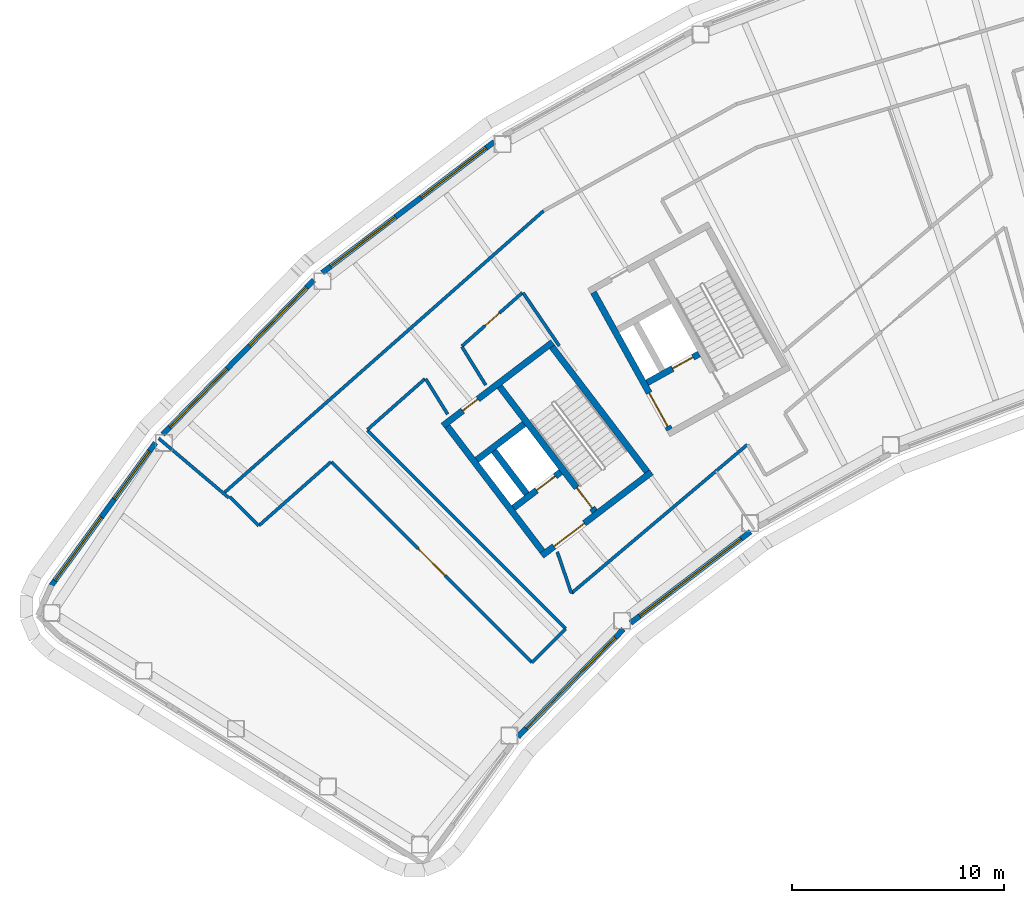
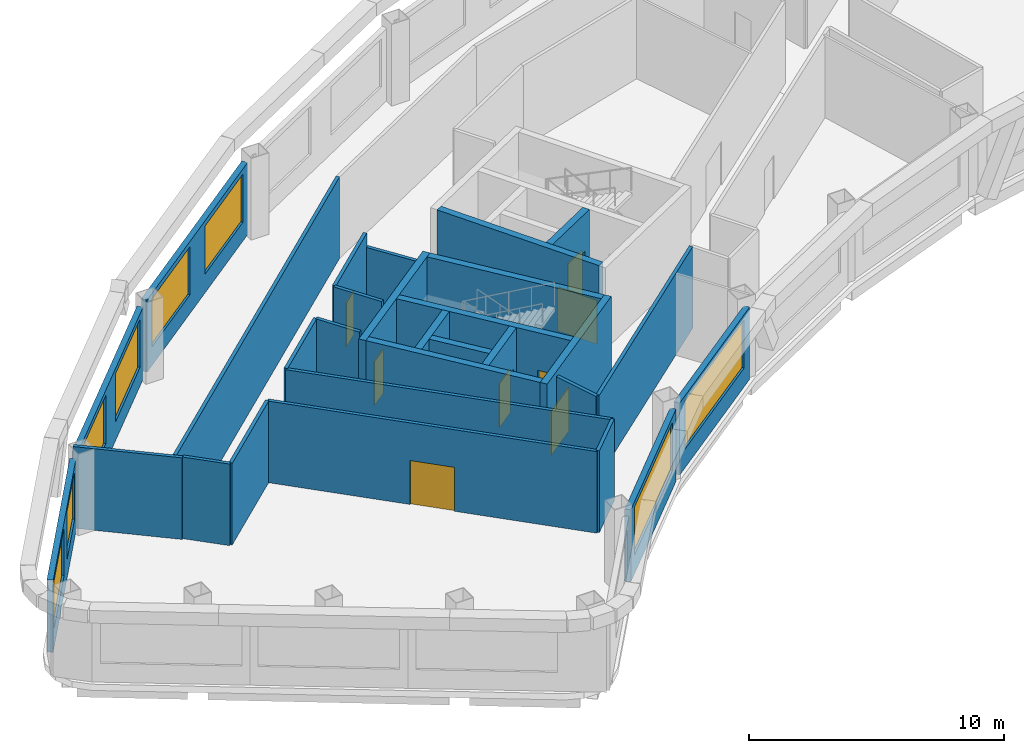
# One storey, part 5 of 13: 29 walls, 8 doors, 8 windows, 16 openings.
"""IFC4 building model written with IfcOpenShell, lengths in metres."""

from ifc_helpers import new_model, si_unit, direction, frame, frame_2d, origin, place, context, subcontext, project, spatial, rectangle, extrude, material, layer, layer_set, type_object, element, fill, save


model = new_model("IFC4")

# Units and contexts
model_context = context("Model", 3, precision=1e-05, world=origin(), true_north=direction((0.0, 1.0)))
body_context = subcontext(model_context, "Body", "Model", "MODEL_VIEW")
ifc_project = project(units=[si_unit("LENGTHUNIT", "METRE"), si_unit("AREAUNIT", "SQUARE_METRE"), si_unit("VOLUMEUNIT", "CUBIC_METRE"), si_unit("PLANEANGLEUNIT", "RADIAN"), si_unit("MASSUNIT", "GRAM", prefix="KILO")], contexts=[model_context])

# Site, building, storey
site_placement = place(None, origin())
site = spatial("IfcSite", under=ifc_project, at=site_placement, CompositionType="ELEMENT")
building_placement = place(site_placement, origin())
building = spatial("IfcBuilding", under=site, at=building_placement, Name="Tuul Gate Civic Tower", CompositionType="ELEMENT")
storey_placement = place(building_placement, frame((0.0, 0.0, 340.699951171875)))
storey = spatial("IfcBuildingStorey", under=building, at=storey_placement, Name="Level 77", CompositionType="ELEMENT", Elevation=340.699951171875)

# Wall, opening, door
ifc_material_1 = material(Name="Concrete C50/60", Category="concrete")
ifc_layer_1 = layer(ifc_material_1, 0.300048828125)
ifc_layer_set_1 = layer_set([ifc_layer_1], Name="Concrete C50/60")
wall_type_1 = type_object("IfcWallType", Name="Core wall C50/60", PredefinedType="SHEAR", material=ifc_layer_set_1)
wall_1_placement = place(storey_placement, frame((-31.19091796875, -13.669677734375, 0.0), z_axis=(0.0, 0.0, 1.0), x_axis=(-0.795606717756, -0.605813461934, 0.0)))
wall_1 = element("IfcWall", 1, at=wall_1_placement, inside=storey, type_object=wall_type_1, Name="Core wall", PredefinedType="SHEAR", context=body_context, shape_type="SweptSolid", body=[
    extrude(rectangle(XDim=6.5, YDim=0.300048828125, at=frame_2d((3.25, 0.0))), origin(), (0.0, 0.0, 1.0), 3.900146484375),
])
opening_1_placement = place(wall_1_placement, frame((3.97509765625, 0.0, 0.0)))
opening_1 = element("IfcOpeningElement", 2, at=opening_1_placement, cuts=wall_1, Name="Opening LB-W1-LOBBY-1", PredefinedType="OPENING", context=body_context, shape_type="SweptSolid", body=[
    extrude(rectangle(XDim=1.800048828125, YDim=2.10009765625, at=frame_2d((0.89990234375, 1.050048828125))), frame((0.0, 0.16015625, 0.0), z_axis=(0.0, -1.0, 0.0), x_axis=(1.0, 0.0, 0.0)), (0.0, 0.0, 1.0), 0.320068359375),
])
ifc_material_2 = material(Name="Steel", Category="steel")
door_type_1 = type_object("IfcDoorType", Name="Lobby door", OperationType="DOUBLE_DOOR_SINGLE_SWING", PredefinedType="DOOR", material=ifc_material_2)
door_1_placement = place(opening_1_placement, origin())
door_1 = element("IfcDoor", 3, at=door_1_placement, inside=storey, type_object=door_type_1, Name="Lobby door W1-LOBBY", OperationType="DOUBLE_DOOR_SINGLE_SWING", OverallHeight=2.10009765625, OverallWidth=1.800048828125, PredefinedType="DOOR", context=body_context, shape_type="SweptSolid", body=[
    extrude(rectangle(XDim=1.800048828125, YDim=2.10009765625, at=frame_2d((0.89990234375, 1.050048828125))), frame((0.0, 0.02490234375, 0.0), z_axis=(0.0, -1.0, 0.0), x_axis=(1.0, 0.0, 0.0)), (0.0, 0.0, 1.0), 0.050048828125),
])
fill(opening_1, door_1)

wall_2_placement = place(storey_placement, frame((-35.470947265625, -13.66064453125, 0.0), z_axis=(0.0, 0.0, 1.0), x_axis=(-0.795615822227, -0.605801504968, 0.0)))
wall_2 = element("IfcWall", 4, at=wall_2_placement, inside=storey, type_object=wall_type_1, Name="Core wall", PredefinedType="SHEAR", context=body_context, shape_type="SweptSolid", body=[
    extrude(rectangle(XDim=2.800048828125, YDim=0.300048828125, at=frame_2d((1.39990234375, 0.0))), origin(), (0.0, 0.0, 1.0), 3.900146484375),
])
opening_2_placement = place(wall_2_placement, frame((0.324951171875, 0.0, 0.0)))
opening_2 = element("IfcOpeningElement", 5, at=opening_2_placement, cuts=wall_2, Name="Opening LD-H1", PredefinedType="OPENING", context=body_context, shape_type="SweptSolid", body=[
    extrude(rectangle(XDim=1.10009765625, YDim=2.10009765625, at=frame_2d((0.550048828125, 1.050048828125))), frame((0.0, 0.16015625, 0.0), z_axis=(0.0, -1.0, 0.0), x_axis=(1.0, 0.0, 0.0)), (0.0, 0.0, 1.0), 0.320068359375),
])
ifc_material_3 = material(Name="Stainless steel", Category="steel")
door_type_2 = type_object("IfcDoorType", Name="Landing door", OperationType="DOUBLE_DOOR_SLIDING", PredefinedType="DOOR", material=ifc_material_3)
door_2_placement = place(opening_2_placement, origin())
door_2 = element("IfcDoor", 6, at=door_2_placement, inside=storey, type_object=door_type_2, Name="High-rise lift H1 landing door", OperationType="DOUBLE_DOOR_SLIDING", OverallHeight=2.10009765625, OverallWidth=1.10009765625, PredefinedType="DOOR", context=body_context, shape_type="SweptSolid", body=[
    extrude(rectangle(XDim=1.10009765625, YDim=2.10009765625, at=frame_2d((0.550048828125, 1.050048828125))), frame((0.0, 0.02490234375, 0.0), z_axis=(0.0, -1.0, 0.0), x_axis=(1.0, 0.0, 0.0)), (0.0, 0.0, 1.0), 0.050048828125),
])
fill(opening_2, door_2)

# Wall
wall_3_placement = place(storey_placement, frame((-37.197509765625, -11.39306640625, 0.0), z_axis=(0.0, 0.0, 1.0), x_axis=(-0.795583820278, -0.605843531707, 0.0)))
element("IfcWall", 7, at=wall_3_placement, inside=storey, type_object=wall_type_1, Name="Core wall", PredefinedType="SHEAR", context=body_context, shape_type="SweptSolid", body=[
    extrude(rectangle(XDim=2.7998046875, YDim=0.300048828125, at=frame_2d((1.39990234375, 0.0))), origin(), (0.0, 0.0, 1.0), 3.900146484375),
])

# Wall, opening, door
wall_4_placement = place(storey_placement, frame((-35.855224609375, -7.543212890625, 0.0), z_axis=(0.0, 0.0, 1.0), x_axis=(-0.79563860527, -0.605771582202, 0.0)))
wall_4 = element("IfcWall", 8, at=wall_4_placement, inside=storey, type_object=wall_type_1, Name="Core wall", PredefinedType="SHEAR", context=body_context, shape_type="SweptSolid", body=[
    extrude(rectangle(XDim=6.5, YDim=0.300048828125, at=frame_2d((3.25, 0.0))), origin(), (0.0, 0.0, 1.0), 3.900146484375),
])
opening_3_placement = place(wall_4_placement, frame((4.425048828125, 0.0, 0.0)))
opening_3 = element("IfcOpeningElement", 9, at=opening_3_placement, cuts=wall_4, Name="Opening AC-D18", PredefinedType="OPENING", context=body_context, shape_type="SweptSolid", body=[
    extrude(rectangle(XDim=0.89990234375, YDim=2.10009765625, at=frame_2d((0.449951171875, 1.050048828125))), frame((0.0, 0.16015625, 0.0), z_axis=(0.0, -1.0, 0.0), x_axis=(1.0, 0.0, 0.0)), (0.0, 0.0, 1.0), 0.320068359375),
])
ifc_material_4 = material(Name="Timber door leaf", Category="wood")
door_type_3 = type_object("IfcDoorType", Name="Door D09", OperationType="NOTDEFINED", PredefinedType="DOOR", material=ifc_material_4)
door_3_placement = place(opening_3_placement, origin())
door_3 = element("IfcDoor", 10, at=door_3_placement, inside=storey, type_object=door_type_3, Name="Door AC-D18", OperationType="SINGLE_SWING_LEFT", OverallHeight=2.10009765625, OverallWidth=0.89990234375, PredefinedType="DOOR", context=body_context, shape_type="SweptSolid", body=[
    extrude(rectangle(XDim=0.89990234375, YDim=2.10009765625, at=frame_2d((0.449951171875, 1.050048828125))), frame((0.0, 0.02490234375, 0.0), z_axis=(0.0, -1.0, 0.0), x_axis=(1.0, 0.0, 0.0)), (0.0, 0.0, 1.0), 0.050048828125),
])
fill(opening_3, door_3)

# Wall
wall_5_placement = place(storey_placement, frame((-31.401123046875, -13.64111328125, 0.0), z_axis=(0.0, 0.0, 1.0), x_axis=(-0.605769822278, 0.795639945213, 0.0)))
element("IfcWall", 11, at=wall_5_placement, inside=storey, type_object=wall_type_1, Name="Core wall", PredefinedType="SHEAR", context=body_context, shape_type="SweptSolid", body=[
    extrude(rectangle(XDim=7.39990234375, YDim=0.300048828125, at=frame_2d((3.699951171875, 0.0))), origin(), (0.0, 0.0, 1.0), 3.900146484375),
])

# Wall, opening, door
wall_6_placement = place(storey_placement, frame((-33.867431640625, -15.51904296875, 0.0), z_axis=(0.0, 0.0, 1.0), x_axis=(-0.605769822278, 0.795639945213, 0.0)))
wall_6 = element("IfcWall", 12, at=wall_6_placement, inside=storey, type_object=wall_type_1, Name="Core wall", PredefinedType="SHEAR", context=body_context, shape_type="SweptSolid", body=[
    extrude(rectangle(XDim=7.39990234375, YDim=0.300048828125, at=frame_2d((3.699951171875, 0.0))), origin(), (0.0, 0.0, 1.0), 3.900146484375),
])
opening_4_placement = place(wall_6_placement, frame((0.199951171875, 0.0, 0.0)))
opening_4 = element("IfcOpeningElement", 13, at=opening_4_placement, cuts=wall_6, Name="Opening SD-ST-1", PredefinedType="OPENING", context=body_context, shape_type="SweptSolid", body=[
    extrude(rectangle(XDim=1.199951171875, YDim=2.10009765625, at=frame_2d((0.60009765625, 1.050048828125))), frame((0.0, 0.16015625, 0.0), z_axis=(0.0, -1.0, 0.0), x_axis=(1.0, 0.0, 0.0)), (0.0, 0.0, 1.0), 0.320068359375),
])
ifc_material_5 = material(Name="Steel", Category="steel")
door_type_4 = type_object("IfcDoorType", Name="Stair door", OperationType="NOTDEFINED", PredefinedType="DOOR", material=ifc_material_5)
door_4_placement = place(opening_4_placement, origin())
door_4 = element("IfcDoor", 14, at=door_4_placement, inside=storey, type_object=door_type_4, Name="Stair door ST-1", OperationType="SINGLE_SWING_LEFT", OverallHeight=2.10009765625, OverallWidth=1.199951171875, PredefinedType="DOOR", context=body_context, shape_type="SweptSolid", body=[
    extrude(rectangle(XDim=1.199951171875, YDim=2.10009765625, at=frame_2d((0.60009765625, 1.050048828125))), frame((0.0, 0.02490234375, 0.0), z_axis=(0.0, -1.0, 0.0), x_axis=(1.0, 0.0, 0.0)), (0.0, 0.0, 1.0), 0.050048828125),
])
fill(opening_4, door_4)

# Walls
wall_7_placement = place(storey_placement, frame((-37.073486328125, -14.6923828125, 0.0), z_axis=(0.0, 0.0, 1.0), x_axis=(-0.605728760074, 0.79567120673, 0.0)))
element("IfcWall", 15, at=wall_7_placement, inside=storey, type_object=wall_type_1, Name="Core wall", PredefinedType="SHEAR", context=body_context, shape_type="SweptSolid", body=[
    extrude(rectangle(XDim=2.550048828125, YDim=0.300048828125, at=frame_2d((1.27490234375, 0.0))), origin(), (0.0, 0.0, 1.0), 3.900146484375),
])
wall_8_placement = place(storey_placement, frame((-36.333984375, -17.397216796875, 0.0), z_axis=(0.0, 0.0, 1.0), x_axis=(-0.605753921168, 0.795652051458, 0.0)))
element("IfcWall", 16, at=wall_8_placement, inside=storey, type_object=wall_type_1, Name="Core wall", PredefinedType="SHEAR", context=body_context, shape_type="SweptSolid", body=[
    extrude(rectangle(XDim=7.400146484375, YDim=0.300048828125, at=frame_2d((3.7001953125, 0.0))), origin(), (0.0, 0.0, 1.0), 3.900146484375),
])

# Wall, opening, door
wall_9_placement = place(storey_placement, frame((-28.94580078125, -8.090087890625, 0.0), z_axis=(0.0, 0.0, 1.0), x_axis=(-0.874629840737, -0.484791338301, 0.0)))
wall_9 = element("IfcWall", 17, at=wall_9_placement, inside=storey, type_object=wall_type_1, Name="Core wall", PredefinedType="SHEAR", context=body_context, shape_type="SweptSolid", body=[
    extrude(rectangle(XDim=2.800048828125, YDim=0.300048828125, at=frame_2d((1.39990234375, 0.0))), origin(), (0.0, 0.0, 1.0), 3.900146484375),
])
opening_5_placement = place(wall_9_placement, frame((0.324951171875, 0.0, 0.0)))
opening_5 = element("IfcOpeningElement", 18, at=opening_5_placement, cuts=wall_9, Name="Opening LD-FF-1", PredefinedType="OPENING", context=body_context, shape_type="SweptSolid", body=[
    extrude(rectangle(XDim=1.10009765625, YDim=2.10009765625, at=frame_2d((0.550048828125, 1.050048828125))), frame((0.0, 0.16015625, 0.0), z_axis=(0.0, -1.0, 0.0), x_axis=(1.0, 0.0, 0.0)), (0.0, 0.0, 1.0), 0.320068359375),
])
door_5_placement = place(opening_5_placement, origin())
door_5 = element("IfcDoor", 19, at=door_5_placement, inside=storey, type_object=door_type_2, Name="Fire-fighting lift FF-1 landing door", OperationType="DOUBLE_DOOR_SLIDING", OverallHeight=2.10009765625, OverallWidth=1.10009765625, PredefinedType="DOOR", context=body_context, shape_type="SweptSolid", body=[
    extrude(rectangle(XDim=1.10009765625, YDim=2.10009765625, at=frame_2d((0.550048828125, 1.050048828125))), frame((0.0, 0.02490234375, 0.0), z_axis=(0.0, -1.0, 0.0), x_axis=(1.0, 0.0, 0.0)), (0.0, 0.0, 1.0), 0.050048828125),
])
fill(opening_5, door_5)

wall_10_placement = place(storey_placement, frame((-30.33837890625, -11.6630859375, 0.0), z_axis=(0.0, 0.0, 1.0), x_axis=(-0.484751894226, 0.874651702704, 0.0)))
wall_10 = element("IfcWall", 20, at=wall_10_placement, inside=storey, type_object=wall_type_1, Name="Core wall", PredefinedType="SHEAR", context=body_context, shape_type="SweptSolid", body=[
    extrude(rectangle(XDim=7.39990234375, YDim=0.300048828125, at=frame_2d((3.699951171875, 0.0))), origin(), (0.0, 0.0, 1.0), 3.900146484375),
])
opening_6_placement = place(wall_10_placement, frame((0.175048828125, 0.0, 0.0)))
opening_6 = element("IfcOpeningElement", 21, at=opening_6_placement, cuts=wall_10, Name="Opening LB-W2-FLOBBY-1", PredefinedType="OPENING", context=body_context, shape_type="SweptSolid", body=[
    extrude(rectangle(XDim=1.800048828125, YDim=2.10009765625, at=frame_2d((0.89990234375, 1.050048828125))), frame((0.0, 0.16015625, 0.0), z_axis=(0.0, -1.0, 0.0), x_axis=(1.0, 0.0, 0.0)), (0.0, 0.0, 1.0), 0.320068359375),
])
door_6_placement = place(opening_6_placement, origin())
door_6 = element("IfcDoor", 22, at=door_6_placement, inside=storey, type_object=door_type_1, Name="Lobby door W2-FLOBBY", OperationType="DOUBLE_DOOR_SINGLE_SWING", OverallHeight=2.10009765625, OverallWidth=1.800048828125, PredefinedType="DOOR", context=body_context, shape_type="SweptSolid", body=[
    extrude(rectangle(XDim=1.800048828125, YDim=2.10009765625, at=frame_2d((0.89990234375, 1.050048828125))), frame((0.0, 0.02490234375, 0.0), z_axis=(0.0, -1.0, 0.0), x_axis=(1.0, 0.0, 0.0)), (0.0, 0.0, 1.0), 0.050048828125),
])
fill(opening_6, door_6)

# Walls
ifc_material_6 = material(Name="Gypsum board partition")
ifc_layer_2 = layer(ifc_material_6, 0.14990234375)
ifc_layer_set_2 = layer_set([ifc_layer_2], Name="Gypsum board partition")
wall_type_2 = type_object("IfcWallType", Name="Corridor wall P150", PredefinedType="PARTITIONING", material=ifc_layer_set_2)
wall_11_placement = place(storey_placement, frame((-51.30908203125, -14.609130859375, 0.0), z_axis=(0.0, 0.0, 1.0), x_axis=(0.749746527086, 0.661725128072, 0.0)))
element("IfcWall", 23, at=wall_11_placement, inside=storey, type_object=wall_type_2, Name="p022", PredefinedType="PARTITIONING", context=body_context, shape_type="SweptSolid", body=[
    extrude(rectangle(XDim=20.05078125, YDim=0.14990234375, at=frame_2d((10.025390625, 0.0))), origin(), (0.0, 0.0, 1.0), 3.900146484375),
])
wall_12_placement = place(storey_placement, frame((-51.072509765625, -14.843505859375, 0.0), z_axis=(0.0, 0.0, 1.0), x_axis=(0.711739651445, -0.702443356123, 0.0)))
element("IfcWall", 24, at=wall_12_placement, inside=storey, type_object=wall_type_2, Name="p023", PredefinedType="PARTITIONING", context=body_context, shape_type="SweptSolid", body=[
    extrude(rectangle(XDim=1.917236328125, YDim=0.14990234375, at=frame_2d((0.95849609375, 0.0))), origin(), (0.0, 0.0, 1.0), 3.900146484375),
])
wall_13_placement = place(storey_placement, frame((-54.4326171875, -12.07421875, 0.0), z_axis=(0.0, 0.0, 1.0), x_axis=(0.762882913922, -0.646536665353, 0.0)))
element("IfcWall", 25, at=wall_13_placement, inside=storey, type_object=wall_type_2, Name="p024", PredefinedType="PARTITIONING", context=body_context, shape_type="SweptSolid", body=[
    extrude(rectangle(XDim=4.34375, YDim=0.14990234375, at=frame_2d((2.171875, 0.0))), origin(), (0.0, 0.0, 1.0), 3.900146484375),
])
wall_14_placement = place(storey_placement, frame((-34.96484375, -19.378173828125, 0.0), z_axis=(0.0, 0.0, 1.0), x_axis=(0.763923474365, 0.64530684586, 0.0)))
element("IfcWall", 26, at=wall_14_placement, inside=storey, type_object=wall_type_2, Name="p049", PredefinedType="PARTITIONING", context=body_context, shape_type="SweptSolid", body=[
    extrude(rectangle(XDim=10.855224609375, YDim=0.14990234375, at=frame_2d((5.427734375, 0.0))), origin(), (0.0, 0.0, 1.0), 3.900146484375),
])
wall_15_placement = place(storey_placement, frame((-49.7080078125, -16.190185546875, 0.0), z_axis=(0.0, 0.0, 1.0), x_axis=(0.749312934638, 0.662216071977, 0.0)))
element("IfcWall", 27, at=wall_15_placement, inside=storey, type_object=wall_type_2, Name="p061", PredefinedType="PARTITIONING", context=body_context, shape_type="SweptSolid", body=[
    extrude(rectangle(XDim=4.535400390625, YDim=0.14990234375, at=frame_2d((2.267578125, 0.0))), origin(), (0.0, 0.0, 1.0), 3.900146484375),
])
wall_16_placement = place(storey_placement, frame((-44.59033203125, -11.66748046875, 0.0), z_axis=(0.0, 0.0, 1.0), x_axis=(0.749319777686, 0.662208328827, 0.0)))
element("IfcWall", 28, at=wall_16_placement, inside=storey, type_object=wall_type_2, Name="p062", PredefinedType="PARTITIONING", context=body_context, shape_type="SweptSolid", body=[
    extrude(rectangle(XDim=3.632080078125, YDim=0.14990234375, at=frame_2d((1.81591796875, 0.0))), origin(), (0.0, 0.0, 1.0), 3.900146484375),
])

# Wall, opening, door
wall_17_placement = place(storey_placement, frame((-40.128173828125, -7.72412109375, 0.0), z_axis=(0.0, 0.0, 1.0), x_axis=(0.749306145522, 0.662223753941, 0.0)))
wall_17 = element("IfcWall", 29, at=wall_17_placement, inside=storey, type_object=wall_type_2, Name="p063", PredefinedType="PARTITIONING", context=body_context, shape_type="SweptSolid", body=[
    extrude(rectangle(XDim=3.80712890625, YDim=0.14990234375, at=frame_2d((1.903564453125, 0.0))), origin(), (0.0, 0.0, 1.0), 3.900146484375),
])
opening_7_placement = place(wall_17_placement, frame((1.45361328125, 0.0, 0.0)))
opening_7 = element("IfcOpeningElement", 30, at=opening_7_placement, cuts=wall_17, Name="Opening AC-D12", PredefinedType="OPENING", context=body_context, shape_type="SweptSolid", body=[
    extrude(rectangle(XDim=0.89990234375, YDim=2.10009765625, at=frame_2d((0.449951171875, 1.050048828125))), frame((0.0, 0.0849609375, 0.0), z_axis=(0.0, -1.0, 0.0), x_axis=(1.0, 0.0, 0.0)), (0.0, 0.0, 1.0), 0.169921875),
])
door_7_placement = place(opening_7_placement, frame((0.89990234375, 0.0, 0.0), z_axis=(0.0, 0.0, 1.0), x_axis=(-1.0, 0.0, 0.0)))
door_7 = element("IfcDoor", 31, at=door_7_placement, inside=storey, type_object=door_type_3, Name="Door AC-D12", OperationType="SINGLE_SWING_LEFT", OverallHeight=2.10009765625, OverallWidth=0.89990234375, PredefinedType="DOOR", context=body_context, shape_type="SweptSolid", body=[
    extrude(rectangle(XDim=0.89990234375, YDim=2.10009765625, at=frame_2d((0.449951171875, 1.050048828125))), frame((0.0, 0.02490234375, 0.0), z_axis=(0.0, -1.0, 0.0), x_axis=(1.0, 0.0, 0.0)), (0.0, 0.0, 1.0), 0.050048828125),
])
fill(opening_7, door_7)

wall_18_placement = place(storey_placement, frame((-46.287109375, -13.18408203125, 0.0), z_axis=(0.0, 0.0, 1.0), x_axis=(0.707161536948, -0.707052021185, 0.0)))
wall_18 = element("IfcWall", 32, at=wall_18_placement, inside=storey, type_object=wall_type_2, Name="p064", PredefinedType="PARTITIONING", context=body_context, shape_type="SweptSolid", body=[
    extrude(rectangle(XDim=13.375732421875, YDim=0.14990234375, at=frame_2d((6.68798828125, 0.0))), origin(), (0.0, 0.0, 1.0), 3.900146484375),
])
opening_8_placement = place(wall_18_placement, frame((5.787841796875, 0.0, 0.0)))
opening_8 = element("IfcOpeningElement", 33, at=opening_8_placement, cuts=wall_18, Name="Opening AC-D10", PredefinedType="OPENING", context=body_context, shape_type="SweptSolid", body=[
    extrude(rectangle(XDim=1.800048828125, YDim=2.10009765625, at=frame_2d((0.89990234375, 1.050048828125))), frame((0.0, 0.0849609375, 0.0), z_axis=(0.0, -1.0, 0.0), x_axis=(1.0, 0.0, 0.0)), (0.0, 0.0, 1.0), 0.169921875),
])
ifc_material_7 = material(Name="Timber door leaf, double", Category="wood")
door_type_5 = type_object("IfcDoorType", Name="Door D18", OperationType="DOUBLE_DOOR_SINGLE_SWING", PredefinedType="DOOR", material=ifc_material_7)
door_8_placement = place(opening_8_placement, frame((1.800048828125, 0.0, 0.0), z_axis=(0.0, 0.0, 1.0), x_axis=(-1.0, 0.0, 0.0)))
door_8 = element("IfcDoor", 34, at=door_8_placement, inside=storey, type_object=door_type_5, Name="Door AC-D10", OperationType="DOUBLE_DOOR_SINGLE_SWING", OverallHeight=2.10009765625, OverallWidth=1.800048828125, PredefinedType="DOOR", context=body_context, shape_type="SweptSolid", body=[
    extrude(rectangle(XDim=1.800048828125, YDim=2.10009765625, at=frame_2d((0.900146484375, 1.050048828125))), frame((0.0, 0.02490234375, 0.0), z_axis=(0.0, -1.0, 0.0), x_axis=(1.0, 0.0, 0.0)), (0.0, 0.0, 1.0), 0.050048828125),
])
fill(opening_8, door_8)

# Walls
wall_19_placement = place(storey_placement, frame((-36.828369140625, -22.641357421875, 0.0), z_axis=(0.0, 0.0, 1.0), x_axis=(0.707106781187, 0.707106781187, 0.0)))
element("IfcWall", 35, at=wall_19_placement, inside=storey, type_object=wall_type_2, Name="p065", PredefinedType="PARTITIONING", context=body_context, shape_type="SweptSolid", body=[
    extrude(rectangle(XDim=2.25, YDim=0.14990234375, at=frame_2d((1.125, 0.0))), origin(), (0.0, 0.0, 1.0), 3.900146484375),
])
wall_20_placement = place(storey_placement, frame((-44.59130859375, -11.696533203125, 0.0), z_axis=(0.0, 0.0, 1.0), x_axis=(0.707116009033, -0.70709755322, 0.0)))
element("IfcWall", 36, at=wall_20_placement, inside=storey, type_object=wall_type_2, Name="p066", PredefinedType="PARTITIONING", context=body_context, shape_type="SweptSolid", body=[
    extrude(rectangle(XDim=13.228271484375, YDim=0.14990234375, at=frame_2d((6.6142578125, 0.0))), origin(), (0.0, 0.0, 1.0), 3.900146484375),
])
wall_21_placement = place(storey_placement, frame((-41.83837890625, -9.2666015625, 0.0), z_axis=(0.0, 0.0, 1.0), x_axis=(0.527626074705, -0.849476736168, 0.0)))
element("IfcWall", 37, at=wall_21_placement, inside=storey, type_object=wall_type_2, Name="p067", PredefinedType="PARTITIONING", context=body_context, shape_type="SweptSolid", body=[
    extrude(rectangle(XDim=1.96240234375, YDim=0.14990234375, at=frame_2d((0.981201171875, 0.0))), origin(), (0.0, 0.0, 1.0), 3.900146484375),
])
wall_22_placement = place(storey_placement, frame((-35.6328125, -17.428955078125, 0.0), z_axis=(0.0, 0.0, 1.0), x_axis=(0.324281932191, -0.94596047933, 0.0)))
element("IfcWall", 38, at=wall_22_placement, inside=storey, type_object=wall_type_2, Name="p068", PredefinedType="PARTITIONING", context=body_context, shape_type="SweptSolid", body=[
    extrude(rectangle(XDim=2.061279296875, YDim=0.14990234375, at=frame_2d((1.03076171875, 0.0))), origin(), (0.0, 0.0, 1.0), 3.900146484375),
])
wall_23_placement = place(storey_placement, frame((-40.1318359375, -7.74951171875, 0.0), z_axis=(0.0, 0.0, 1.0), x_axis=(0.527397005273, -0.849618972734, 0.0)))
element("IfcWall", 39, at=wall_23_placement, inside=storey, type_object=wall_type_2, Name="p075", PredefinedType="PARTITIONING", context=body_context, shape_type="SweptSolid", body=[
    extrude(rectangle(XDim=2.135986328125, YDim=0.14990234375, at=frame_2d((1.06787109375, 0.0))), origin(), (0.0, 0.0, 1.0), 3.900146484375),
])
ifc_material_8 = material(Name="Gypsum board partition")
ifc_layer_3 = layer(ifc_material_8, 0.14990234375)
ifc_layer_set_3 = layer_set([ifc_layer_3], Name="Gypsum board partition")
wall_type_3 = type_object("IfcWallType", Name="Corridor wall P150 3250 HIGH", PredefinedType="PARTITIONING", material=ifc_layer_set_3)
wall_24_placement = place(storey_placement, frame((-37.24560546875, -5.20654296875, 0.0), z_axis=(0.0, 0.0, 1.0), x_axis=(0.56316194011, -0.826346555152, 0.0)))
element("IfcWall", 40, at=wall_24_placement, inside=storey, type_object=wall_type_3, Name="p076", PredefinedType="PARTITIONING", context=body_context, shape_type="SweptSolid", body=[
    extrude(rectangle(XDim=3.032470703125, YDim=0.14990234375, at=frame_2d((1.51611328125, 0.0))), origin(), (0.0, 0.0, 1.0), 3.25),
])

# Wall, openings, windows
ifc_material_9 = material(Name="Precast concrete C40/50", Category="concrete")
ifc_layer_4 = layer(ifc_material_9, 0.25)
ifc_layer_set_4 = layer_set([ifc_layer_4], Name="Precast concrete C40/50")
wall_type_4 = type_object("IfcWallType", Name="External wall", PredefinedType="STANDARD", material=ifc_layer_set_4)
wall_25_placement = place(storey_placement, frame((-38.610107421875, 1.909423828125, 0.0), z_axis=(0.0, 0.0, 1.0), x_axis=(-0.795611005019, -0.605807831488, 0.0)))
wall_25 = element("IfcWall", 41, at=wall_25_placement, inside=storey, type_object=wall_type_4, Name="External wall", PredefinedType="STANDARD", context=body_context, shape_type="SweptSolid", body=[
    extrude(rectangle(XDim=10.188720703125, YDim=0.25, at=frame_2d((5.09423828125, 0.0))), origin(), (0.0, 0.0, 1.0), 3.449951171875),
])
opening_9_placement = place(wall_25_placement, frame((0.47314453125, 0.0, 0.89990234375)))
opening_9 = element("IfcOpeningElement", 42, at=opening_9_placement, cuts=wall_25, Name="Opening W22", PredefinedType="OPENING", context=body_context, shape_type="SweptSolid", body=[
    extrude(rectangle(XDim=3.85009765625, YDim=2.300048828125, at=frame_2d((1.925048828125, 1.14990234375))), frame((0.0, 0.135009765625, 0.0), z_axis=(0.0, -1.0, 0.0), x_axis=(1.0, 0.0, 0.0)), (0.0, 0.0, 1.0), 0.27001953125),
])
opening_10_placement = place(wall_25_placement, frame((5.844482421875, 0.0, 0.89990234375)))
opening_10 = element("IfcOpeningElement", 43, at=opening_10_placement, cuts=wall_25, Name="Opening W22", PredefinedType="OPENING", context=body_context, shape_type="SweptSolid", body=[
    extrude(rectangle(XDim=3.85009765625, YDim=2.300048828125, at=frame_2d((1.925048828125, 1.14990234375))), frame((0.0, 0.135009765625, 0.0), z_axis=(0.0, -1.0, 0.0), x_axis=(1.0, 0.0, 0.0)), (0.0, 0.0, 1.0), 0.27001953125),
])
ifc_material_10 = material(Name="Glass", Category="glass")
window_type_1 = type_object("IfcWindowType", Name="Window W22 3850 x 2300", PartitioningType="SINGLE_PANEL", PredefinedType="WINDOW", material=ifc_material_10)
window_1_placement = place(opening_9_placement, origin())
window_1 = element("IfcWindow", 44, at=window_1_placement, inside=storey, type_object=window_type_1, Name="Window", OverallHeight=2.300048828125, OverallWidth=3.85009765625, PartitioningType="SINGLE_PANEL", PredefinedType="WINDOW", context=body_context, shape_type="SweptSolid", body=[
    extrude(rectangle(XDim=3.85009765625, YDim=2.300048828125, at=frame_2d((1.925048828125, 1.14990234375))), frame((0.0, 0.030029296875, 0.0), z_axis=(0.0, -1.0, 0.0), x_axis=(1.0, 0.0, 0.0)), (0.0, 0.0, 1.0), 0.06005859375),
])
fill(opening_9, window_1)
window_2_placement = place(opening_10_placement, origin())
window_2 = element("IfcWindow", 45, at=window_2_placement, inside=storey, type_object=window_type_1, Name="Window", OverallHeight=2.300048828125, OverallWidth=3.85009765625, PartitioningType="SINGLE_PANEL", PredefinedType="WINDOW", context=body_context, shape_type="SweptSolid", body=[
    extrude(rectangle(XDim=3.85009765625, YDim=2.300048828125, at=frame_2d((1.925048828125, 1.14990234375))), frame((0.0, 0.030029296875, 0.0), z_axis=(0.0, -1.0, 0.0), x_axis=(1.0, 0.0, 0.0)), (0.0, 0.0, 1.0), 0.06005859375),
])
fill(opening_10, window_2)

wall_26_placement = place(storey_placement, frame((-47.10595703125, -4.607666015625, 0.0), z_axis=(0.0, 0.0, 1.0), x_axis=(-0.700055609081, -0.714088330807, 0.0)))
wall_26 = element("IfcWall", 46, at=wall_26_placement, inside=storey, type_object=wall_type_4, Name="External wall", PredefinedType="STANDARD", context=body_context, shape_type="SweptSolid", body=[
    extrude(rectangle(XDim=10.1953125, YDim=0.25, at=frame_2d((5.09765625, 0.0))), origin(), (0.0, 0.0, 1.0), 3.449951171875),
])
opening_11_placement = place(wall_26_placement, frame((0.4873046875, 0.0, 0.89990234375)))
opening_11 = element("IfcOpeningElement", 47, at=opening_11_placement, cuts=wall_26, Name="Opening W22", PredefinedType="OPENING", context=body_context, shape_type="SweptSolid", body=[
    extrude(rectangle(XDim=3.85009765625, YDim=2.300048828125, at=frame_2d((1.925048828125, 1.14990234375))), frame((0.0, 0.135009765625, 0.0), z_axis=(0.0, -1.0, 0.0), x_axis=(1.0, 0.0, 0.0)), (0.0, 0.0, 1.0), 0.27001953125),
])
opening_12_placement = place(wall_26_placement, frame((5.8583984375, 0.0, 0.89990234375)))
opening_12 = element("IfcOpeningElement", 48, at=opening_12_placement, cuts=wall_26, Name="Opening W22", PredefinedType="OPENING", context=body_context, shape_type="SweptSolid", body=[
    extrude(rectangle(XDim=3.85009765625, YDim=2.300048828125, at=frame_2d((1.925048828125, 1.14990234375))), frame((0.0, 0.135009765625, 0.0), z_axis=(0.0, -1.0, 0.0), x_axis=(1.0, 0.0, 0.0)), (0.0, 0.0, 1.0), 0.27001953125),
])
window_3_placement = place(opening_11_placement, origin())
window_3 = element("IfcWindow", 49, at=window_3_placement, inside=storey, type_object=window_type_1, Name="Window", OverallHeight=2.300048828125, OverallWidth=3.85009765625, PartitioningType="SINGLE_PANEL", PredefinedType="WINDOW", context=body_context, shape_type="SweptSolid", body=[
    extrude(rectangle(XDim=3.85009765625, YDim=2.300048828125, at=frame_2d((1.925048828125, 1.14990234375))), frame((0.0, 0.030029296875, 0.0), z_axis=(0.0, -1.0, 0.0), x_axis=(1.0, 0.0, 0.0)), (0.0, 0.0, 1.0), 0.06005859375),
])
fill(opening_11, window_3)
window_4_placement = place(opening_12_placement, origin())
window_4 = element("IfcWindow", 50, at=window_4_placement, inside=storey, type_object=window_type_1, Name="Window", OverallHeight=2.300048828125, OverallWidth=3.85009765625, PartitioningType="SINGLE_PANEL", PredefinedType="WINDOW", context=body_context, shape_type="SweptSolid", body=[
    extrude(rectangle(XDim=3.85009765625, YDim=2.300048828125, at=frame_2d((1.925048828125, 1.14990234375))), frame((0.0, 0.030029296875, 0.0), z_axis=(0.0, -1.0, 0.0), x_axis=(1.0, 0.0, 0.0)), (0.0, 0.0, 1.0), 0.06005859375),
])
fill(opening_12, window_4)

wall_27_placement = place(storey_placement, frame((-54.580078125, -12.28466796875, 0.0), z_axis=(0.0, 0.0, 1.0), x_axis=(-0.58975151757, -0.80758476182, 0.0)))
wall_27 = element("IfcWall", 51, at=wall_27_placement, inside=storey, type_object=wall_type_4, Name="External wall", PredefinedType="STANDARD", context=body_context, shape_type="SweptSolid", body=[
    extrude(rectangle(XDim=8.33740234375, YDim=0.25, at=frame_2d((4.168701171875, 0.0))), origin(), (0.0, 0.0, 1.0), 3.449951171875),
])
opening_13_placement = place(wall_27_placement, frame((0.48486328125, 0.0, 0.89990234375)))
opening_13 = element("IfcOpeningElement", 52, at=opening_13_placement, cuts=wall_27, Name="Opening W23", PredefinedType="OPENING", context=body_context, shape_type="SweptSolid", body=[
    extrude(rectangle(XDim=2.800048828125, YDim=2.300048828125, at=frame_2d((1.39990234375, 1.14990234375))), frame((0.0, 0.135009765625, 0.0), z_axis=(0.0, -1.0, 0.0), x_axis=(1.0, 0.0, 0.0)), (0.0, 0.0, 1.0), 0.27001953125),
])
opening_14_placement = place(wall_27_placement, frame((4.33642578125, 0.0, 0.89990234375)))
opening_14 = element("IfcOpeningElement", 53, at=opening_14_placement, cuts=wall_27, Name="Opening W21", PredefinedType="OPENING", context=body_context, shape_type="SweptSolid", body=[
    extrude(rectangle(XDim=3.699951171875, YDim=2.300048828125, at=frame_2d((1.85009765625, 1.14990234375))), frame((0.0, 0.135009765625, 0.0), z_axis=(0.0, -1.0, 0.0), x_axis=(1.0, 0.0, 0.0)), (0.0, 0.0, 1.0), 0.27001953125),
])
ifc_material_11 = material(Name="Glass", Category="glass")
window_type_2 = type_object("IfcWindowType", Name="Window W21 3700 x 2300", PartitioningType="SINGLE_PANEL", PredefinedType="WINDOW", material=ifc_material_11)
window_5_placement = place(opening_14_placement, origin())
window_5 = element("IfcWindow", 54, at=window_5_placement, inside=storey, type_object=window_type_2, Name="Window", OverallHeight=2.300048828125, OverallWidth=3.699951171875, PartitioningType="SINGLE_PANEL", PredefinedType="WINDOW", context=body_context, shape_type="SweptSolid", body=[
    extrude(rectangle(XDim=3.699951171875, YDim=2.300048828125, at=frame_2d((1.85009765625, 1.14990234375))), frame((0.0, 0.030029296875, 0.0), z_axis=(0.0, -1.0, 0.0), x_axis=(1.0, 0.0, 0.0)), (0.0, 0.0, 1.0), 0.06005859375),
])
fill(opening_14, window_5)
ifc_material_12 = material(Name="Glass", Category="glass")
window_type_3 = type_object("IfcWindowType", Name="Window W23 2800 x 2300", PartitioningType="SINGLE_PANEL", PredefinedType="WINDOW", material=ifc_material_12)
window_6_placement = place(opening_13_placement, origin())
window_6 = element("IfcWindow", 55, at=window_6_placement, inside=storey, type_object=window_type_3, Name="Window", OverallHeight=2.300048828125, OverallWidth=2.800048828125, PartitioningType="SINGLE_PANEL", PredefinedType="WINDOW", context=body_context, shape_type="SweptSolid", body=[
    extrude(rectangle(XDim=2.800048828125, YDim=2.300048828125, at=frame_2d((1.39990234375, 1.14990234375))), frame((0.0, 0.030029296875, 0.0), z_axis=(0.0, -1.0, 0.0), x_axis=(1.0, 0.0, 0.0)), (0.0, 0.0, 1.0), 0.06005859375),
])
fill(opening_13, window_6)

# Wall, opening, window
wall_28_placement = place(storey_placement, frame((-37.489013671875, -26.15234375, 0.0), z_axis=(0.0, 0.0, 1.0), x_axis=(0.700085141996, 0.714059377052, 0.0)))
wall_28 = element("IfcWall", 56, at=wall_28_placement, inside=storey, type_object=wall_type_4, Name="External wall", PredefinedType="STANDARD", context=body_context, shape_type="SweptSolid", body=[
    extrude(rectangle(XDim=7.110595703125, YDim=0.25, at=frame_2d((3.55517578125, 0.0))), origin(), (0.0, 0.0, 1.0), 3.449951171875),
])
opening_15_placement = place(wall_28_placement, frame((0.5556640625, 0.0, 0.89990234375)))
opening_15 = element("IfcOpeningElement", 57, at=opening_15_placement, cuts=wall_28, Name="Opening W26", PredefinedType="OPENING", context=body_context, shape_type="SweptSolid", body=[
    extrude(rectangle(XDim=6.0, YDim=2.300048828125, at=frame_2d((3.0, 1.14990234375))), frame((0.0, 0.135009765625, 0.0), z_axis=(0.0, -1.0, 0.0), x_axis=(1.0, 0.0, 0.0)), (0.0, 0.0, 1.0), 0.27001953125),
])
ifc_material_13 = material(Name="Glass", Category="glass")
window_type_4 = type_object("IfcWindowType", Name="Window W26 6000 x 2300", PartitioningType="SINGLE_PANEL", PredefinedType="WINDOW", material=ifc_material_13)
window_7_placement = place(opening_15_placement, origin())
window_7 = element("IfcWindow", 58, at=window_7_placement, inside=storey, type_object=window_type_4, Name="Window", OverallHeight=2.300048828125, OverallWidth=6.0, PartitioningType="SINGLE_PANEL", PredefinedType="WINDOW", context=body_context, shape_type="SweptSolid", body=[
    extrude(rectangle(XDim=6.0, YDim=2.300048828125, at=frame_2d((3.0, 1.14990234375))), frame((0.0, 0.030029296875, 0.0), z_axis=(0.0, -1.0, 0.0), x_axis=(1.0, 0.0, 0.0)), (0.0, 0.0, 1.0), 0.06005859375),
])
fill(opening_15, window_7)

wall_29_placement = place(storey_placement, frame((-32.175048828125, -20.780029296875, 0.0), z_axis=(0.0, 0.0, 1.0), x_axis=(0.795582375141, 0.605845429433, 0.0)))
wall_29 = element("IfcWall", 59, at=wall_29_placement, inside=storey, type_object=wall_type_4, Name="External wall", PredefinedType="STANDARD", context=body_context, shape_type="SweptSolid", body=[
    extrude(rectangle(XDim=7.10400390625, YDim=0.25, at=frame_2d((3.552001953125, 0.0))), origin(), (0.0, 0.0, 1.0), 3.449951171875),
])
opening_16_placement = place(wall_29_placement, frame((0.541259765625, 0.0, 0.89990234375)))
opening_16 = element("IfcOpeningElement", 60, at=opening_16_placement, cuts=wall_29, Name="Opening W26", PredefinedType="OPENING", context=body_context, shape_type="SweptSolid", body=[
    extrude(rectangle(XDim=6.0, YDim=2.300048828125, at=frame_2d((3.0, 1.14990234375))), frame((0.0, 0.135009765625, 0.0), z_axis=(0.0, -1.0, 0.0), x_axis=(1.0, 0.0, 0.0)), (0.0, 0.0, 1.0), 0.27001953125),
])
window_8_placement = place(opening_16_placement, origin())
window_8 = element("IfcWindow", 61, at=window_8_placement, inside=storey, type_object=window_type_4, Name="Window", OverallHeight=2.300048828125, OverallWidth=6.0, PartitioningType="SINGLE_PANEL", PredefinedType="WINDOW", context=body_context, shape_type="SweptSolid", body=[
    extrude(rectangle(XDim=6.0, YDim=2.300048828125, at=frame_2d((3.0, 1.14990234375))), frame((0.0, 0.030029296875, 0.0), z_axis=(0.0, -1.0, 0.0), x_axis=(1.0, 0.0, 0.0)), (0.0, 0.0, 1.0), 0.06005859375),
])
fill(opening_16, window_8)

save(model, "model.ifc")
